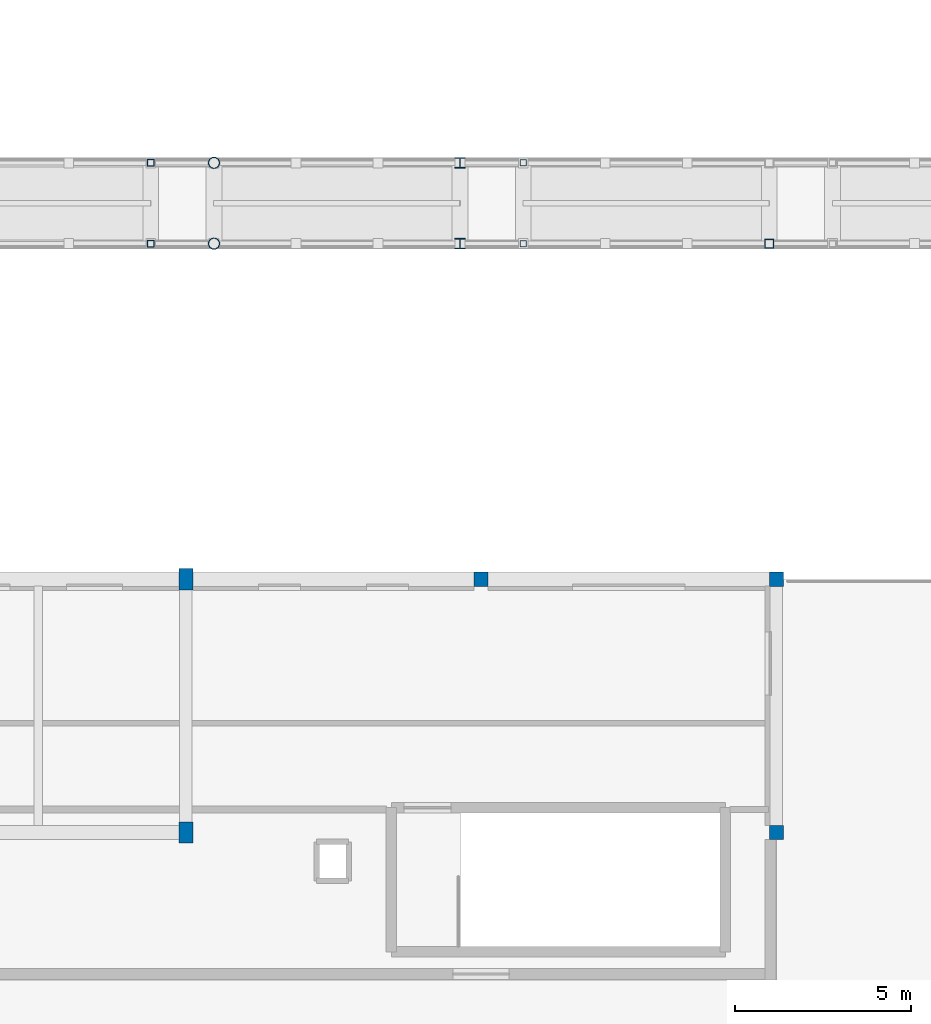
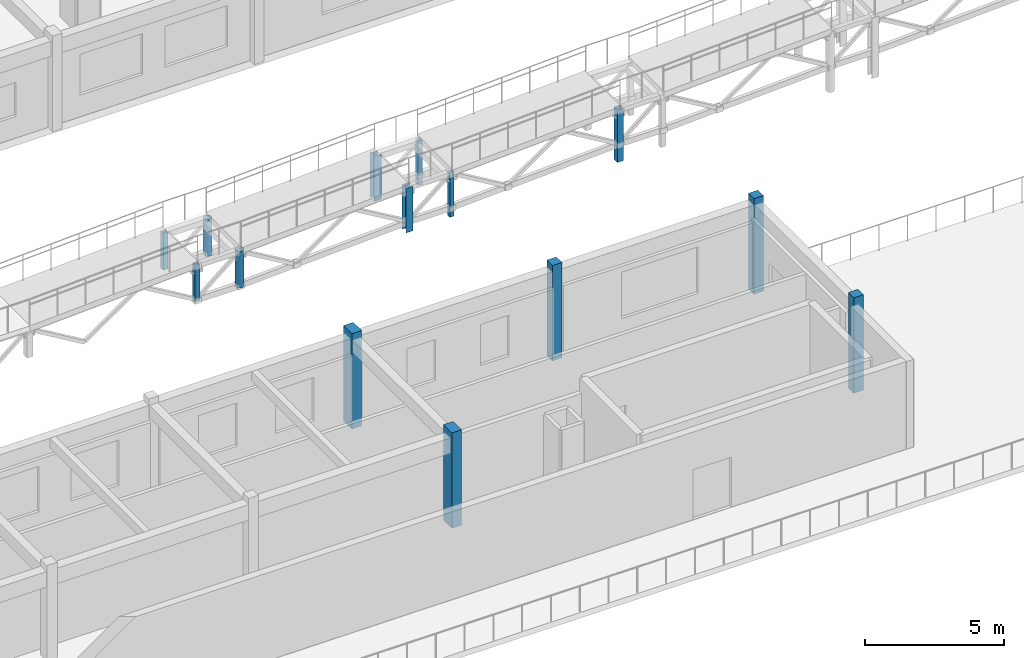
# One storey, part 3 of 41: 14 columns.
"""IFC4 building model written with IfcOpenShell, lengths in metres."""

from ifc_helpers import new_model, si_unit, direction, frame, origin, origin_2d, place, context, subcontext, project, spatial, rectangle, hollow_rectangle, hollow_circle, i_section, extrude, material, material_profile, profile_set, type_object, element, save


model = new_model("IFC4")

# Units and contexts
model_context = context("Model", 3, precision=1e-05, world=origin(), true_north=direction((0.0, 1.0)))
body_context = subcontext(model_context, "Body", "Model", "MODEL_VIEW")
ifc_project = project(units=[si_unit("LENGTHUNIT", "METRE"), si_unit("AREAUNIT", "SQUARE_METRE"), si_unit("VOLUMEUNIT", "CUBIC_METRE"), si_unit("PLANEANGLEUNIT", "RADIAN"), si_unit("MASSUNIT", "GRAM", prefix="KILO")], contexts=[model_context])

# Site, building, storey
site_placement = place(None, origin())
site = spatial("IfcSite", under=ifc_project, at=site_placement, CompositionType="ELEMENT")
building_placement = place(site_placement, origin())
building = spatial("IfcBuilding", under=site, at=building_placement, Name="Malvenik Polytechnic", CompositionType="ELEMENT")
storey_placement = place(building_placement, frame((0.0, 0.0, 17.699951171875)))
storey = spatial("IfcBuildingStorey", under=building, at=storey_placement, Name="L04", CompositionType="ELEMENT", Elevation=17.699951171875)

# Columns
ifc_material_1 = material(Name="Concrete C30/37", Category="concrete")
ifc_material_profile_1 = material_profile(ifc_material_1, rectangle(XDim=0.39990234375, YDim=0.39990234375, at=origin_2d()), Name="RC COL 400x400")
ifc_profile_set_1 = profile_set([ifc_material_profile_1], Name="Concrete C30/37")
column_type_1 = type_object("IfcColumnType", Name="STR-COL-C-10", PredefinedType="COLUMN", material=ifc_profile_set_1)
for number, where, z_axis, x_axis, name in (
    (1, (75.60009765625, 93.60009765625, 0.0), (0.0, 0.0, 1.0), (1.0, 0.0, 0.0), "Column C-10 L04 (75.6,93.6)"),
    (2, (84.0, 86.39990234375, 0.0), (0.0, 0.0, 1.0), (1.0, 0.0, 0.0), "Column C-10 L04 (84.0,86.4)"),
    (3, (84.0, 93.60009765625, 0.0), (0.0, 0.0, 1.0), (1.0, 0.0, 0.0), "Column C-10 L04 (84.0,93.6)"),
):
    element("IfcColumn", number, at=place(storey_placement, frame(where, z_axis=z_axis, x_axis=x_axis)), inside=storey, type_object=column_type_1, Name=name, PredefinedType="COLUMN", context=body_context, shape_type="SweptSolid", body=[
        extrude(rectangle(XDim=0.39990234375, YDim=0.39990234375, at=origin_2d()), origin(), (0.0, 0.0, 1.0), 4.199951171875),
    ])
ifc_material_2 = material(Name="Concrete C35/45", Category="concrete")
ifc_material_profile_2 = material_profile(ifc_material_2, rectangle(XDim=0.39990234375, YDim=0.60009765625, at=origin_2d()), Name="RC COL 600x400")
ifc_profile_set_2 = profile_set([ifc_material_profile_2], Name="Concrete C35/45")
column_type_2 = type_object("IfcColumnType", Name="STR-COL-C-15", PredefinedType="COLUMN", material=ifc_profile_set_2)
for number, where, z_axis, x_axis, name in (
    (4, (67.199951171875, 86.39990234375, 0.0), (0.0, 0.0, 1.0), (1.0, 0.0, 0.0), "Column C-15 L04 (67.2,86.4)"),
    (5, (67.199951171875, 93.60009765625, 0.0), (0.0, 0.0, 1.0), (1.0, 0.0, 0.0), "Column C-15 L04 (67.2,93.6)"),
):
    element("IfcColumn", number, at=place(storey_placement, frame(where, z_axis=z_axis, x_axis=x_axis)), inside=storey, type_object=column_type_2, Name=name, PredefinedType="COLUMN", context=body_context, shape_type="SweptSolid", body=[
        extrude(rectangle(XDim=0.39990234375, YDim=0.60009765625, at=origin_2d()), origin(), (0.0, 0.0, 1.0), 4.199951171875),
    ])
ifc_material_3 = material(Name="Steel S355J2H", Category="steel")
ifc_material_profile_3 = material_profile(ifc_material_3, hollow_rectangle(XDim=0.25, YDim=0.25, WallThickness=0.010009765625, at=origin_2d()), Name="SHS 250x250x10.0")
ifc_profile_set_3 = profile_set([ifc_material_profile_3], Name="Steel S355J2H")
column_type_3 = type_object("IfcColumnType", Name="STR-SCOL-SC-01", PredefinedType="COLUMN", material=ifc_profile_set_3)
column_placement = place(storey_placement, frame((83.800048828125, 103.14990234375, 0.0), z_axis=(0.0, 0.0, 1.0), x_axis=(1.0, 0.0, 0.0)))
element("IfcColumn", 6, at=column_placement, inside=storey, type_object=column_type_3, Name="Bridge-Ramp Support Column SC-01 L04", PredefinedType="COLUMN", context=body_context, shape_type="SweptSolid", body=[
    extrude(hollow_rectangle(XDim=0.25, YDim=0.25, WallThickness=0.010009765625, at=origin_2d()), origin(), (0.0, 0.0, 1.0), 2.31005859375),
])
ifc_material_profile_4 = material_profile(ifc_material_3, hollow_rectangle(XDim=0.199951171875, YDim=0.199951171875, WallThickness=0.010009765625, at=origin_2d()), Name="SHS 200x200x10.0")
ifc_profile_set_4 = profile_set([ifc_material_profile_4], Name="Steel S355J2H")
column_type_4 = type_object("IfcColumnType", Name="STR-SCOL-SC-02", PredefinedType="COLUMN", material=ifc_profile_set_4)
for number, where, z_axis, x_axis, name in (
    (7, (66.199951171875, 103.14990234375, 0.0), (0.0, 0.0, 1.0), (1.0, 0.0, 0.0), "Bridge-Ramp Support Column SC-02 L04"),
    (8, (66.199951171875, 105.449951171875, 0.0), (0.0, 0.0, 1.0), (1.0, 0.0, 0.0), "Bridge-Ramp Support Column SC-02 L04"),
):
    element("IfcColumn", number, at=place(storey_placement, frame(where, z_axis=z_axis, x_axis=x_axis)), inside=storey, type_object=column_type_4, Name=name, PredefinedType="COLUMN", context=body_context, shape_type="SweptSolid", body=[
        extrude(hollow_rectangle(XDim=0.199951171875, YDim=0.199951171875, WallThickness=0.010009765625, at=origin_2d()), origin(), (0.0, 0.0, 1.0), 1.610107421875),
    ])
ifc_material_profile_5 = material_profile(ifc_material_3, hollow_circle(Radius=0.161865234375, WallThickness=0.012451171875, at=origin_2d()), Name="CHS 323.9x12.5")
ifc_profile_set_5 = profile_set([ifc_material_profile_5], Name="Steel S355J2H")
column_type_5 = type_object("IfcColumnType", Name="STR-SCOL-SC-04", PredefinedType="COLUMN", material=ifc_profile_set_5)
for number, where, z_axis, x_axis, name in (
    (9, (68.0, 103.14990234375, 0.0), (0.0, 0.0, 1.0), (1.0, 0.0, 0.0), "Bridge-Ramp Support Column SC-04 L04"),
    (10, (68.0, 105.449951171875, 0.0), (0.0, 0.0, 1.0), (1.0, 0.0, 0.0), "Bridge-Ramp Support Column SC-04 L04"),
):
    element("IfcColumn", number, at=place(storey_placement, frame(where, z_axis=z_axis, x_axis=x_axis)), inside=storey, type_object=column_type_5, Name=name, PredefinedType="COLUMN", context=body_context, shape_type="SweptSolid", body=[
        extrude(hollow_circle(Radius=0.161865234375, WallThickness=0.012451171875, at=origin_2d()), origin(), (0.0, 0.0, 1.0), 1.610107421875),
    ])
ifc_material_4 = material(Name="Steel S355", Category="steel")
ifc_material_profile_6 = material_profile(ifc_material_4, i_section(OverallWidth=0.300048828125, OverallDepth=0.300048828125, WebThickness=0.010986328125, FlangeThickness=0.01904296875, FilletRadius=0.027099609375, at=origin_2d()), Name="HEB 300")
ifc_profile_set_6 = profile_set([ifc_material_profile_6], Name="Steel S355")
column_type_6 = type_object("IfcColumnType", Name="STR-SCOL-SC-05", PredefinedType="COLUMN", material=ifc_profile_set_6)
for number, where, z_axis, x_axis, name in (
    (11, (75.0, 103.14990234375, 0.0), (0.0, 0.0, 1.0), (1.0, 0.0, 0.0), "Bridge-Ramp Support Column SC-05 L04"),
    (12, (75.0, 105.449951171875, 0.0), (0.0, 0.0, 1.0), (1.0, 0.0, 0.0), "Bridge-Ramp Support Column SC-05 L04"),
):
    element("IfcColumn", number, at=place(storey_placement, frame(where, z_axis=z_axis, x_axis=x_axis)), inside=storey, type_object=column_type_6, Name=name, PredefinedType="COLUMN", context=body_context, shape_type="SweptSolid", body=[
        extrude(i_section(OverallWidth=0.300048828125, OverallDepth=0.300048828125, WebThickness=0.010986328125, FlangeThickness=0.01904296875, FilletRadius=0.027099609375, at=origin_2d()), origin(), (0.0, 0.0, 1.0), 1.9599609375),
    ])
ifc_material_profile_7 = material_profile(ifc_material_3, hollow_rectangle(XDim=0.179931640625, YDim=0.179931640625, WallThickness=0.008056640625, at=origin_2d()), Name="SHS 180x180x8.0")
ifc_profile_set_7 = profile_set([ifc_material_profile_7], Name="Steel S355J2H")
column_type_7 = type_object("IfcColumnType", Name="STR-SCOL-SC-06", PredefinedType="COLUMN", material=ifc_profile_set_7)
for number, where, z_axis, x_axis, name in (
    (13, (76.800048828125, 103.14990234375, 0.0), (0.0, 0.0, 1.0), (1.0, 0.0, 0.0), "Bridge-Ramp Support Column SC-06 L04"),
    (14, (76.800048828125, 105.449951171875, 0.0), (0.0, 0.0, 1.0), (1.0, 0.0, 0.0), "Bridge-Ramp Support Column SC-06 L04"),
):
    element("IfcColumn", number, at=place(storey_placement, frame(where, z_axis=z_axis, x_axis=x_axis)), inside=storey, type_object=column_type_7, Name=name, PredefinedType="COLUMN", context=body_context, shape_type="SweptSolid", body=[
        extrude(hollow_rectangle(XDim=0.179931640625, YDim=0.179931640625, WallThickness=0.008056640625, at=origin_2d()), origin(), (0.0, 0.0, 1.0), 1.9599609375),
    ])

save(model, "model.ifc")
